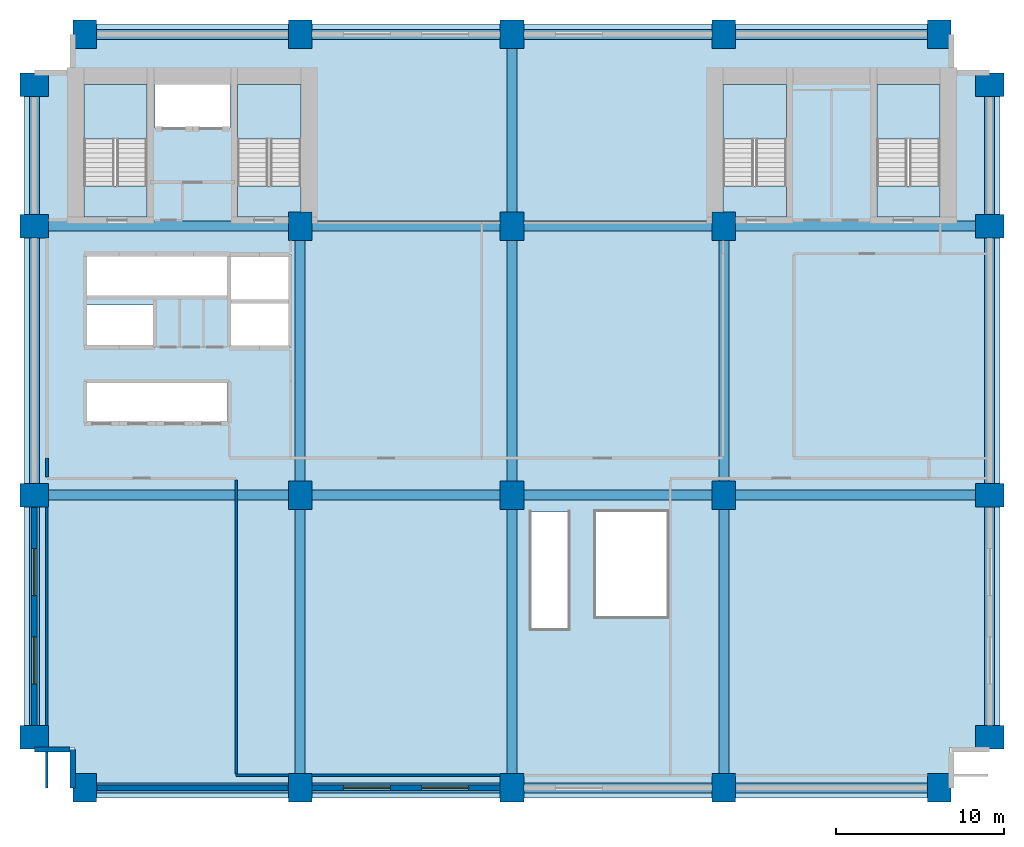
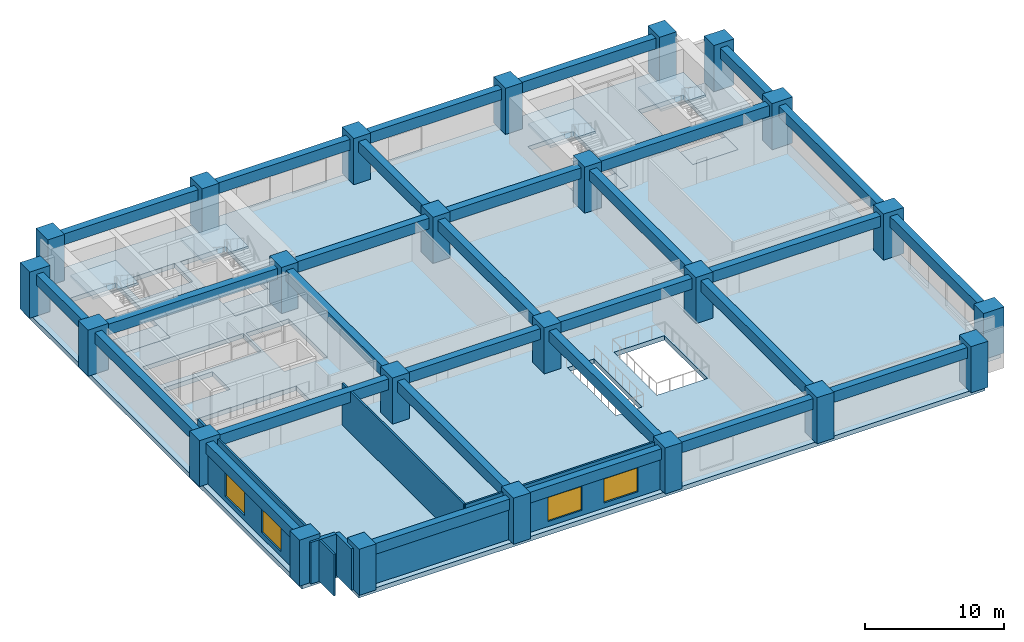
# One storey, part 1 of 7: 29 beams, 24 columns, 11 walls, 9 slabs, 4 windows, 4 openings, 4 elements without a shape of their own.
"""IFC4 building model written with IfcOpenShell, lengths in metres."""

from ifc_helpers import new_model, si_unit, direction, frame, frame_2d, origin, origin_2d, place, context, subcontext, project, spatial, polyline, rectangle, outline, extrude, material, layer, layer_set, material_profile, profile_set, type_object, element, fill, aggregate, save


model = new_model("IFC4")

# Units and contexts
model_context = context("Model", 3, precision=1e-05, world=origin(), true_north=direction((0.0, 1.0)))
body_context = subcontext(model_context, "Body", "Model", "MODEL_VIEW")
ifc_project = project(units=[si_unit("LENGTHUNIT", "METRE"), si_unit("AREAUNIT", "SQUARE_METRE"), si_unit("VOLUMEUNIT", "CUBIC_METRE"), si_unit("PLANEANGLEUNIT", "RADIAN"), si_unit("MASSUNIT", "GRAM", prefix="KILO")], contexts=[model_context])

# Site, building, storey
site_placement = place(None, origin())
site = spatial("IfcSite", under=ifc_project, at=site_placement, CompositionType="ELEMENT")
building_placement = place(site_placement, origin())
building = spatial("IfcBuilding", under=site, at=building_placement, Name="Sulina Concourse Tower", CompositionType="ELEMENT")
storey_placement = place(building_placement, frame((0.0, 0.0, 13.5)))
storey = spatial("IfcBuildingStorey", under=building, at=storey_placement, Name="L03", CompositionType="ELEMENT", Elevation=13.5)

# Columns
ifc_material_1 = material(Name="Concrete C80/95", Category="concrete")
ifc_material_profile_1 = material_profile(ifc_material_1, rectangle(XDim=1.39990234375, YDim=1.699951171875, at=origin_2d()), Name="RC 1400x1700")
ifc_profile_set_1 = profile_set([ifc_material_profile_1], Name="Concrete C80/95")
column_type = type_object("IfcColumnType", Name="Station Podium Column 1400x1700", PredefinedType="COLUMN", material=ifc_profile_set_1)
for number, where, z_axis, x_axis, name in (
    (1, (3.60009765625, 0.60009765625, 0.0), (0.0, 0.0, 1.0), (1.0, 0.0, 0.0), "L03 structural column MC-S1"),
    (2, (3.60009765625, 45.39990234375, 0.0), (0.0, 0.0, 1.0), (1.0, 0.0, 0.0), "L03 structural column MC-N1"),
    (3, (16.39990234375, 0.60009765625, 0.0), (0.0, 0.0, 1.0), (1.0, 0.0, 0.0), "L03 structural column MC-S2"),
    (4, (16.39990234375, 45.39990234375, 0.0), (0.0, 0.0, 1.0), (1.0, 0.0, 0.0), "L03 structural column MC-N2"),
    (5, (29.0, 0.60009765625, 0.0), (0.0, 0.0, 1.0), (1.0, 0.0, 0.0), "L03 structural column MC-S3"),
    (6, (29.0, 45.39990234375, 0.0), (0.0, 0.0, 1.0), (1.0, 0.0, 0.0), "L03 structural column MC-N3"),
    (7, (41.60009765625, 0.60009765625, 0.0), (0.0, 0.0, 1.0), (1.0, 0.0, 0.0), "L03 structural column MC-S4"),
    (8, (41.60009765625, 45.39990234375, 0.0), (0.0, 0.0, 1.0), (1.0, 0.0, 0.0), "L03 structural column MC-N4"),
    (9, (54.39990234375, 0.60009765625, 0.0), (0.0, 0.0, 1.0), (1.0, 0.0, 0.0), "L03 structural column MC-S5"),
    (10, (54.39990234375, 45.39990234375, 0.0), (0.0, 0.0, 1.0), (1.0, 0.0, 0.0), "L03 structural column MC-N5"),
    (11, (0.60009765625, 3.60009765625, 0.0), (0.0, 0.0, 1.0), (0.0, 1.0, 0.0), "L03 structural column MC-W1"),
    (12, (57.39990234375, 3.60009765625, 0.0), (0.0, 0.0, 1.0), (0.0, 1.0, 0.0), "L03 structural column MC-E1"),
    (13, (0.60009765625, 18.0, 0.0), (0.0, 0.0, 1.0), (0.0, 1.0, 0.0), "L03 structural column MC-W2"),
    (14, (57.39990234375, 18.0, 0.0), (0.0, 0.0, 1.0), (0.0, 1.0, 0.0), "L03 structural column MC-E2"),
    (15, (0.60009765625, 34.0, 0.0), (0.0, 0.0, 1.0), (0.0, 1.0, 0.0), "L03 structural column MC-W3"),
    (16, (57.39990234375, 34.0, 0.0), (0.0, 0.0, 1.0), (0.0, 1.0, 0.0), "L03 structural column MC-E3"),
    (17, (0.60009765625, 42.39990234375, 0.0), (0.0, 0.0, 1.0), (0.0, 1.0, 0.0), "L03 structural column MC-W4"),
    (18, (57.39990234375, 42.39990234375, 0.0), (0.0, 0.0, 1.0), (0.0, 1.0, 0.0), "L03 structural column MC-E4"),
    (19, (16.39990234375, 18.0, 0.0), (0.0, 0.0, 1.0), (1.0, 0.0, 0.0), "L03 structural column MC-M1"),
    (20, (16.39990234375, 34.0, 0.0), (0.0, 0.0, 1.0), (1.0, 0.0, 0.0), "L03 structural column MC-C1"),
    (21, (29.0, 18.0, 0.0), (0.0, 0.0, 1.0), (1.0, 0.0, 0.0), "L03 structural column MC-M2"),
    (22, (29.0, 34.0, 0.0), (0.0, 0.0, 1.0), (1.0, 0.0, 0.0), "L03 structural column MC-C2"),
    (23, (41.60009765625, 18.0, 0.0), (0.0, 0.0, 1.0), (1.0, 0.0, 0.0), "L03 structural column MC-M3"),
    (24, (41.60009765625, 34.0, 0.0), (0.0, 0.0, 1.0), (1.0, 0.0, 0.0), "L03 structural column MC-C3"),
):
    element("IfcColumn", number, at=place(storey_placement, frame(where, z_axis=z_axis, x_axis=x_axis)), inside=storey, type_object=column_type, Name=name, PredefinedType="COLUMN", context=body_context, shape_type="SweptSolid", body=[
        extrude(rectangle(XDim=1.39990234375, YDim=1.699951171875, at=origin_2d()), origin(), (0.0, 0.0, 1.0), 4.050048828125),
    ])

# Beams
ifc_material_2 = material(Name="Concrete C60/75", Category="concrete")
ifc_material_profile_2 = material_profile(ifc_material_2, rectangle(XDim=0.60009765625, YDim=0.949951171875, at=origin_2d()), Name="RC 600x950")
ifc_profile_set_2 = profile_set([ifc_material_profile_2], Name="Concrete C60/75")
beam_type = type_object("IfcBeamType", Name="Basement & Podium Primary Beam 600x950", PredefinedType="BEAM", material=ifc_profile_set_2)
for number, where, z_axis, x_axis, name in (
    (25, (4.280029296875, 0.60009765625, 3.175048828125), (1.0, 0.0, 0.0), (0.0, 1.0, 0.0), "PB-S1-L03"),
    (26, (4.280029296875, 45.39990234375, 3.175048828125), (1.0, 0.0, 0.0), (0.0, 1.0, 0.0), "PB-N1-L03"),
):
    element("IfcBeam", number, at=place(storey_placement, frame(where, z_axis=z_axis, x_axis=x_axis)), inside=storey, type_object=beam_type, Name=name, PredefinedType="BEAM", context=body_context, shape_type="SweptSolid", body=[
        extrude(rectangle(XDim=0.60009765625, YDim=0.949951171875, at=origin_2d()), origin(), (0.0, 0.0, 1.0), 11.43994140625),
    ])
for number, where, z_axis, x_axis, name in (
    (27, (1.280029296875, 18.0, 3.175048828125), (1.0, 0.0, 0.0), (0.0, 1.0, 0.0), "PB-M0-L03"),
    (28, (1.280029296875, 34.0, 3.175048828125), (1.0, 0.0, 0.0), (0.0, 1.0, 0.0), "PB-C0-L03"),
):
    element("IfcBeam", number, at=place(storey_placement, frame(where, z_axis=z_axis, x_axis=x_axis)), inside=storey, type_object=beam_type, Name=name, PredefinedType="BEAM", context=body_context, shape_type="SweptSolid", body=[
        extrude(rectangle(XDim=0.60009765625, YDim=0.949951171875, at=origin_2d()), origin(), (0.0, 0.0, 1.0), 14.43994140625),
    ])
for number, where, z_axis, x_axis, name in (
    (29, (17.080078125, 0.60009765625, 3.175048828125), (1.0, 0.0, 0.0), (0.0, 1.0, 0.0), "PB-S2-L03"),
    (30, (17.080078125, 45.39990234375, 3.175048828125), (1.0, 0.0, 0.0), (0.0, 1.0, 0.0), "PB-N2-L03"),
    (31, (17.080078125, 18.0, 3.175048828125), (1.0, 0.0, 0.0), (0.0, 1.0, 0.0), "PB-M2-L03"),
    (32, (17.080078125, 34.0, 3.175048828125), (1.0, 0.0, 0.0), (0.0, 1.0, 0.0), "PB-C2-L03"),
    (33, (29.679931640625, 0.60009765625, 3.175048828125), (1.0, 0.0, 0.0), (0.0, 1.0, 0.0), "PB-S3-L03"),
    (34, (29.679931640625, 45.39990234375, 3.175048828125), (1.0, 0.0, 0.0), (0.0, 1.0, 0.0), "PB-N3-L03"),
    (35, (29.679931640625, 18.0, 3.175048828125), (1.0, 0.0, 0.0), (0.0, 1.0, 0.0), "PB-M3-L03"),
    (36, (29.679931640625, 34.0, 3.175048828125), (1.0, 0.0, 0.0), (0.0, 1.0, 0.0), "PB-C3-L03"),
):
    element("IfcBeam", number, at=place(storey_placement, frame(where, z_axis=z_axis, x_axis=x_axis)), inside=storey, type_object=beam_type, Name=name, PredefinedType="BEAM", context=body_context, shape_type="SweptSolid", body=[
        extrude(rectangle(XDim=0.60009765625, YDim=0.949951171875, at=origin_2d()), origin(), (0.0, 0.0, 1.0), 11.239990234375),
    ])
for number, where, z_axis, x_axis, name in (
    (37, (42.280029296875, 0.60009765625, 3.175048828125), (1.0, 0.0, 0.0), (0.0, 1.0, 0.0), "PB-S4-L03"),
    (38, (42.280029296875, 45.39990234375, 3.175048828125), (1.0, 0.0, 0.0), (0.0, 1.0, 0.0), "PB-N4-L03"),
):
    element("IfcBeam", number, at=place(storey_placement, frame(where, z_axis=z_axis, x_axis=x_axis)), inside=storey, type_object=beam_type, Name=name, PredefinedType="BEAM", context=body_context, shape_type="SweptSolid", body=[
        extrude(rectangle(XDim=0.60009765625, YDim=0.949951171875, at=origin_2d()), origin(), (0.0, 0.0, 1.0), 11.43994140625),
    ])
for number, where, z_axis, x_axis, name in (
    (39, (42.280029296875, 18.0, 3.175048828125), (1.0, 0.0, 0.0), (0.0, 1.0, 0.0), "PB-M5-L03"),
    (40, (42.280029296875, 34.0, 3.175048828125), (1.0, 0.0, 0.0), (0.0, 1.0, 0.0), "PB-C5-L03"),
):
    element("IfcBeam", number, at=place(storey_placement, frame(where, z_axis=z_axis, x_axis=x_axis)), inside=storey, type_object=beam_type, Name=name, PredefinedType="BEAM", context=body_context, shape_type="SweptSolid", body=[
        extrude(rectangle(XDim=0.60009765625, YDim=0.949951171875, at=origin_2d()), origin(), (0.0, 0.0, 1.0), 14.43994140625),
    ])
for number, where, z_axis, x_axis, name in (
    (41, (0.60009765625, 4.280029296875, 3.175048828125), (0.0, 1.0, 0.0), (-1.0, 0.0, 0.0), "PB-W1-L03"),
    (42, (57.39990234375, 4.280029296875, 3.175048828125), (0.0, 1.0, 0.0), (-1.0, 0.0, 0.0), "PB-E1-L03"),
):
    element("IfcBeam", number, at=place(storey_placement, frame(where, z_axis=z_axis, x_axis=x_axis)), inside=storey, type_object=beam_type, Name=name, PredefinedType="BEAM", context=body_context, shape_type="SweptSolid", body=[
        extrude(rectangle(XDim=0.60009765625, YDim=0.949951171875, at=origin_2d()), origin(), (0.0, 0.0, 1.0), 13.0400390625),
    ])
for number, where, z_axis, x_axis, name in (
    (43, (0.60009765625, 18.679931640625, 3.175048828125), (0.0, 1.0, 0.0), (-1.0, 0.0, 0.0), "PB-W2-L03"),
    (44, (57.39990234375, 18.679931640625, 3.175048828125), (0.0, 1.0, 0.0), (-1.0, 0.0, 0.0), "PB-E2-L03"),
):
    element("IfcBeam", number, at=place(storey_placement, frame(where, z_axis=z_axis, x_axis=x_axis)), inside=storey, type_object=beam_type, Name=name, PredefinedType="BEAM", context=body_context, shape_type="SweptSolid", body=[
        extrude(rectangle(XDim=0.60009765625, YDim=0.949951171875, at=origin_2d()), origin(), (0.0, 0.0, 1.0), 14.64013671875),
    ])
for number, where, z_axis, x_axis, name in (
    (45, (0.60009765625, 34.679931640625, 3.175048828125), (0.0, 1.0, 0.0), (-1.0, 0.0, 0.0), "PB-W3-L03"),
    (46, (57.39990234375, 34.679931640625, 3.175048828125), (0.0, 1.0, 0.0), (-1.0, 0.0, 0.0), "PB-E3-L03"),
):
    element("IfcBeam", number, at=place(storey_placement, frame(where, z_axis=z_axis, x_axis=x_axis)), inside=storey, type_object=beam_type, Name=name, PredefinedType="BEAM", context=body_context, shape_type="SweptSolid", body=[
        extrude(rectangle(XDim=0.60009765625, YDim=0.949951171875, at=origin_2d()), origin(), (0.0, 0.0, 1.0), 7.0400390625),
    ])
beam_1_placement = place(storey_placement, frame((16.39990234375, 1.280029296875, 3.175048828125), z_axis=(0.0, 1.0, 0.0), x_axis=(-1.0, 0.0, 0.0)))
element("IfcBeam", 47, at=beam_1_placement, inside=storey, type_object=beam_type, Name="PB-NS1A-L03", PredefinedType="BEAM", context=body_context, shape_type="SweptSolid", body=[
    extrude(rectangle(XDim=0.60009765625, YDim=0.949951171875, at=origin_2d()), origin(), (0.0, 0.0, 1.0), 16.0400390625),
])
beam_2_placement = place(storey_placement, frame((16.39990234375, 18.679931640625, 3.175048828125), z_axis=(0.0, 1.0, 0.0), x_axis=(-1.0, 0.0, 0.0)))
element("IfcBeam", 48, at=beam_2_placement, inside=storey, type_object=beam_type, Name="PB-NS1B-L03", PredefinedType="BEAM", context=body_context, shape_type="SweptSolid", body=[
    extrude(rectangle(XDim=0.60009765625, YDim=0.949951171875, at=origin_2d()), origin(), (0.0, 0.0, 1.0), 14.64013671875),
])
beam_3_placement = place(storey_placement, frame((29.0, 1.280029296875, 3.175048828125), z_axis=(0.0, 1.0, 0.0), x_axis=(-1.0, 0.0, 0.0)))
element("IfcBeam", 49, at=beam_3_placement, inside=storey, type_object=beam_type, Name="PB-NS2A-L03", PredefinedType="BEAM", context=body_context, shape_type="SweptSolid", body=[
    extrude(rectangle(XDim=0.60009765625, YDim=0.949951171875, at=origin_2d()), origin(), (0.0, 0.0, 1.0), 16.0400390625),
])
beam_4_placement = place(storey_placement, frame((29.0, 18.679931640625, 3.175048828125), z_axis=(0.0, 1.0, 0.0), x_axis=(-1.0, 0.0, 0.0)))
element("IfcBeam", 50, at=beam_4_placement, inside=storey, type_object=beam_type, Name="PB-NS2B-L03", PredefinedType="BEAM", context=body_context, shape_type="SweptSolid", body=[
    extrude(rectangle(XDim=0.60009765625, YDim=0.949951171875, at=origin_2d()), origin(), (0.0, 0.0, 1.0), 14.64013671875),
])
beam_5_placement = place(storey_placement, frame((29.0, 34.679931640625, 3.175048828125), z_axis=(0.0, 1.0, 0.0), x_axis=(-1.0, 0.0, 0.0)))
element("IfcBeam", 51, at=beam_5_placement, inside=storey, type_object=beam_type, Name="PB-NS2C-L03", PredefinedType="BEAM", context=body_context, shape_type="SweptSolid", body=[
    extrude(rectangle(XDim=0.60009765625, YDim=0.949951171875, at=origin_2d()), origin(), (0.0, 0.0, 1.0), 10.0400390625),
])
beam_6_placement = place(storey_placement, frame((41.60009765625, 1.280029296875, 3.175048828125), z_axis=(0.0, 1.0, 0.0), x_axis=(-1.0, 0.0, 0.0)))
element("IfcBeam", 52, at=beam_6_placement, inside=storey, type_object=beam_type, Name="PB-NS3A-L03", PredefinedType="BEAM", context=body_context, shape_type="SweptSolid", body=[
    extrude(rectangle(XDim=0.60009765625, YDim=0.949951171875, at=origin_2d()), origin(), (0.0, 0.0, 1.0), 16.0400390625),
])
beam_7_placement = place(storey_placement, frame((41.60009765625, 18.679931640625, 3.175048828125), z_axis=(0.0, 1.0, 0.0), x_axis=(-1.0, 0.0, 0.0)))
element("IfcBeam", 53, at=beam_7_placement, inside=storey, type_object=beam_type, Name="PB-NS3B-L03", PredefinedType="BEAM", context=body_context, shape_type="SweptSolid", body=[
    extrude(rectangle(XDim=0.60009765625, YDim=0.949951171875, at=origin_2d()), origin(), (0.0, 0.0, 1.0), 14.64013671875),
])

# Slabs
ifc_material_3 = material(Name="Concrete C50/60", Category="concrete")
ifc_layer_1 = layer(ifc_material_3, 0.199951171875)
ifc_layer_set_1 = layer_set([ifc_layer_1], Name="Concrete C50/60")
slab_type_1 = type_object("IfcSlabType", Name="Primary Core Stair Landing Slab 200mm", PredefinedType="LANDING", material=ifc_layer_set_1)
slab_1_placement = place(storey_placement, frame((0.0, 0.0, -0.199951171875)))
element("IfcSlab", 54, at=slab_1_placement, inside=storey, type_object=slab_type_1, Name="L03 ST-1 floor landing slab", PredefinedType="LANDING", context=body_context, shape_type="SweptSolid", body=[
    extrude(outline(polyline([(7.31005859375, 34.550048828125), (7.31005859375, 36.375), (3.550048828125, 36.375), (3.550048828125, 34.550048828125), (7.31005859375, 34.550048828125)])), origin(), (0.0, 0.0, 1.0), 0.199951171875),
])
slab_2_placement = place(storey_placement, frame((0.0, 0.0, -0.199951171875)))
element("IfcSlab", 55, at=slab_2_placement, inside=storey, type_object=slab_type_1, Name="L03 ST-2 floor landing slab", PredefinedType="LANDING", context=body_context, shape_type="SweptSolid", body=[
    extrude(outline(polyline([(16.449951171875, 34.550048828125), (16.449951171875, 36.375), (12.68994140625, 36.375), (12.68994140625, 34.550048828125), (16.449951171875, 34.550048828125)])), origin(), (0.0, 0.0, 1.0), 0.199951171875),
])
slab_3_placement = place(storey_placement, frame((0.0, 0.0, -0.199951171875)))
element("IfcSlab", 56, at=slab_3_placement, inside=storey, type_object=slab_type_1, Name="L03 ST-3 floor landing slab", PredefinedType="LANDING", context=body_context, shape_type="SweptSolid", body=[
    extrude(outline(polyline([(45.31005859375, 34.550048828125), (45.31005859375, 36.375), (41.550048828125, 36.375), (41.550048828125, 34.550048828125), (45.31005859375, 34.550048828125)])), origin(), (0.0, 0.0, 1.0), 0.199951171875),
])
slab_4_placement = place(storey_placement, frame((0.0, 0.0, -0.199951171875)))
element("IfcSlab", 57, at=slab_4_placement, inside=storey, type_object=slab_type_1, Name="L03 ST-4 floor landing slab", PredefinedType="LANDING", context=body_context, shape_type="SweptSolid", body=[
    extrude(outline(polyline([(54.449951171875, 34.550048828125), (54.449951171875, 36.375), (50.68994140625, 36.375), (50.68994140625, 34.550048828125), (54.449951171875, 34.550048828125)])), origin(), (0.0, 0.0, 1.0), 0.199951171875),
])

# Stair, slab
ifc_material_4 = material(Name="Concrete C50/60", Category="concrete")
stair_type_1 = type_object("IfcStairType", Name="Primary Core Dog-Leg Exit Stair 1800mm", PredefinedType="HALF_TURN_STAIR", material=ifc_material_4)
stair_1_placement = place(storey_placement, origin())
stair_1 = element("IfcStair", 58, at=stair_1_placement, inside=storey, type_object=stair_type_1, Name="L03 ST-1", PredefinedType="HALF_TURN_STAIR")
slab_5_placement = place(storey_placement, frame((0.0, 0.0, 1.824951171875)))
slab_5 = element("IfcSlab", 59, at=slab_5_placement, type_object=slab_type_1, Name="ST-1 landing 1", PredefinedType="LANDING", context=body_context, shape_type="SweptSolid", body=[
    extrude(outline(polyline([(7.304931640625, 39.175048828125), (7.304931640625, 42.425048828125), (3.554931640625, 42.425048828125), (3.554931640625, 39.175048828125), (7.304931640625, 39.175048828125)])), origin(), (0.0, 0.0, 1.0), 0.199951171875),
])
aggregate(stair_1, [slab_5])

stair_2_placement = place(storey_placement, origin())
stair_2 = element("IfcStair", 60, at=stair_2_placement, inside=storey, type_object=stair_type_1, Name="L03 ST-2", PredefinedType="HALF_TURN_STAIR")
slab_6_placement = place(storey_placement, frame((0.0, 0.0, 1.824951171875)))
slab_6 = element("IfcSlab", 61, at=slab_6_placement, type_object=slab_type_1, Name="ST-2 landing 1", PredefinedType="LANDING", context=body_context, shape_type="SweptSolid", body=[
    extrude(outline(polyline([(16.445068359375, 39.175048828125), (16.445068359375, 42.425048828125), (12.695068359375, 42.425048828125), (12.695068359375, 39.175048828125), (16.445068359375, 39.175048828125)])), origin(), (0.0, 0.0, 1.0), 0.199951171875),
])
aggregate(stair_2, [slab_6])

ifc_material_5 = material(Name="Concrete C50/60", Category="concrete")
stair_type_2 = type_object("IfcStairType", Name="Portal & Podium Core Exit Stair 1820mm", PredefinedType="HALF_TURN_STAIR", material=ifc_material_5)
stair_3_placement = place(storey_placement, origin())
stair_3 = element("IfcStair", 62, at=stair_3_placement, inside=storey, type_object=stair_type_2, Name="L03 ST-3", PredefinedType="HALF_TURN_STAIR")
slab_7_placement = place(storey_placement, frame((0.0, 0.0, 1.824951171875)))
slab_7 = element("IfcSlab", 63, at=slab_7_placement, type_object=slab_type_1, Name="ST-3 landing 1", PredefinedType="LANDING", context=body_context, shape_type="SweptSolid", body=[
    extrude(outline(polyline([(45.304931640625, 39.175048828125), (45.304931640625, 42.425048828125), (41.554931640625, 42.425048828125), (41.554931640625, 39.175048828125), (45.304931640625, 39.175048828125)])), origin(), (0.0, 0.0, 1.0), 0.199951171875),
])
aggregate(stair_3, [slab_7])

stair_4_placement = place(storey_placement, origin())
stair_4 = element("IfcStair", 64, at=stair_4_placement, inside=storey, type_object=stair_type_2, Name="L03 ST-4", PredefinedType="HALF_TURN_STAIR")
slab_8_placement = place(storey_placement, frame((0.0, 0.0, 1.824951171875)))
slab_8 = element("IfcSlab", 65, at=slab_8_placement, type_object=slab_type_1, Name="ST-4 landing 1", PredefinedType="LANDING", context=body_context, shape_type="SweptSolid", body=[
    extrude(outline(polyline([(54.445068359375, 39.175048828125), (54.445068359375, 42.425048828125), (50.695068359375, 42.425048828125), (50.695068359375, 39.175048828125), (54.445068359375, 39.175048828125)])), origin(), (0.0, 0.0, 1.0), 0.199951171875),
])
aggregate(stair_4, [slab_8])

# Slab
ifc_material_6 = material(Name="Concrete C60/75", Category="concrete")
ifc_layer_2 = layer(ifc_material_6, 0.39990234375)
ifc_layer_set_2 = layer_set([ifc_layer_2], Name="Concrete C60/75")
slab_type_2 = type_object("IfcSlabType", Name="Station Concourse & Transfer Slab 400mm", PredefinedType="FLOOR", material=ifc_layer_set_2)
slab_9_placement = place(storey_placement, frame((0.0, 0.0, -0.39990234375)))
element("IfcSlab", 66, at=slab_9_placement, inside=storey, type_object=slab_type_2, Name="L03 structural floor slab", PredefinedType="FLOOR", context=body_context, shape_type="SweptSolid", body=[
    extrude(outline(polyline([(3.0, 0.0), (55.0, 0.0), (55.0, 3.0), (58.0, 3.0), (58.0, 43.0), (55.0, 43.0), (55.0, 46.0), (3.0, 46.0), (3.0, 43.0), (0.0, 43.0), (0.0, 3.0), (3.0, 3.0), (3.0, 0.0)]), holes=[polyline([(7.31005859375, 34.550048828125), (7.31005859375, 42.429931640625), (3.550048828125, 42.429931640625), (3.550048828125, 34.550048828125), (7.31005859375, 34.550048828125)]), polyline([(16.449951171875, 34.550048828125), (16.449951171875, 42.429931640625), (12.68994140625, 42.429931640625), (12.68994140625, 34.550048828125), (16.449951171875, 34.550048828125)]), polyline([(45.31005859375, 34.550048828125), (45.31005859375, 42.429931640625), (41.550048828125, 42.429931640625), (41.550048828125, 34.550048828125), (45.31005859375, 34.550048828125)]), polyline([(54.449951171875, 34.550048828125), (54.449951171875, 42.429931640625), (50.68994140625, 42.429931640625), (50.68994140625, 34.550048828125), (54.449951171875, 34.550048828125)]), polyline([(30.14990234375, 10.050048828125), (32.35009765625, 10.050048828125), (32.35009765625, 17.0), (30.14990234375, 17.0), (30.14990234375, 10.050048828125)]), polyline([(34.0, 10.800048828125), (38.199951171875, 10.800048828125), (38.199951171875, 17.0), (34.0, 17.0), (34.0, 10.800048828125)]), polyline([(7.780029296875, 39.830078125), (12.219970703125, 39.830078125), (12.219970703125, 42.449951171875), (7.780029296875, 42.449951171875), (7.780029296875, 39.830078125)]), polyline([(3.739990234375, 26.780029296875), (7.77001953125, 26.780029296875), (7.77001953125, 29.320068359375), (3.739990234375, 29.320068359375), (3.739990234375, 26.780029296875)]), polyline([(3.739990234375, 29.780029296875), (12.10009765625, 29.780029296875), (12.10009765625, 32.3701171875), (3.739990234375, 32.3701171875), (3.739990234375, 29.780029296875)]), polyline([(3.739990234375, 22.280029296875), (12.10009765625, 22.280029296875), (12.10009765625, 24.77001953125), (3.739990234375, 24.77001953125), (3.739990234375, 22.280029296875)]), polyline([(12.280029296875, 26.780029296875), (15.85009765625, 26.780029296875), (15.85009765625, 32.320068359375), (12.280029296875, 32.320068359375), (12.280029296875, 26.780029296875)])]), origin(), (0.0, 0.0, 1.0), 0.39990234375),
])

# Walls
ifc_material_7 = material(Name="Gypsum board on steel stud", Category="steel")
ifc_layer_3 = layer(ifc_material_7, 0.14990234375)
ifc_layer_set_3 = layer_set([ifc_layer_3], Name="Gypsum board on steel stud")
wall_type_1 = type_object("IfcWallType", Name="Inter-Tenancy Acoustic Partition 150mm", PredefinedType="PARTITIONING", material=ifc_layer_set_3)
wall_1_placement = place(storey_placement, frame((12.60009765625, 1.35009765625, 0.0), z_axis=(0.0, 0.0, 1.0), x_axis=(1.0, 0.0, 0.0)))
element("IfcWall", 67, at=wall_1_placement, inside=storey, type_object=wall_type_1, Name="L03 interior partition 001", PredefinedType="PARTITIONING", context=body_context, shape_type="SweptSolid", body=[
    extrude(rectangle(XDim=3.099853515625, YDim=0.14990234375, at=frame_2d((1.5498046875, 0.0))), origin(), (0.0, 0.0, 1.0), 3.64990234375),
])
wall_2_placement = place(storey_placement, frame((17.10009765625, 1.35009765625, 0.0), z_axis=(0.0, 0.0, 1.0), x_axis=(1.0, 0.0, 0.0)))
element("IfcWall", 68, at=wall_2_placement, inside=storey, type_object=wall_type_1, Name="L03 interior partition 002", PredefinedType="PARTITIONING", context=body_context, shape_type="SweptSolid", body=[
    extrude(rectangle(XDim=11.199951171875, YDim=0.14990234375, at=frame_2d((5.60009765625, 0.0))), origin(), (0.0, 0.0, 1.0), 3.64990234375),
])
wall_3_placement = place(storey_placement, frame((1.35009765625, 0.60009765625, 0.0), z_axis=(0.0, 0.0, 1.0), x_axis=(0.0, 1.0, 0.0)))
element("IfcWall", 69, at=wall_3_placement, inside=storey, type_object=wall_type_1, Name="L03 interior partition 027", PredefinedType="PARTITIONING", context=body_context, shape_type="SweptSolid", body=[
    extrude(rectangle(XDim=2.119873046875, YDim=0.14990234375, at=frame_2d((1.06005859375, 0.0))), origin(), (0.0, 0.0, 1.0), 3.64990234375),
])
wall_4_placement = place(storey_placement, frame((1.35009765625, 4.300048828125, 0.0), z_axis=(0.0, 0.0, 1.0), x_axis=(0.0, 1.0, 0.0)))
element("IfcWall", 70, at=wall_4_placement, inside=storey, type_object=wall_type_1, Name="L03 interior partition 028", PredefinedType="PARTITIONING", context=body_context, shape_type="SweptSolid", body=[
    extrude(rectangle(XDim=13.0, YDim=0.14990234375, at=frame_2d((6.5, 0.0))), origin(), (0.0, 0.0, 1.0), 3.64990234375),
])
wall_5_placement = place(storey_placement, frame((12.60009765625, 1.425048828125, 0.0), z_axis=(0.0, 0.0, 1.0), x_axis=(0.0, 1.0, 0.0)))
element("IfcWall", 71, at=wall_5_placement, inside=storey, type_object=wall_type_1, Name="L03 interior partition 035", PredefinedType="PARTITIONING", context=body_context, shape_type="SweptSolid", body=[
    extrude(rectangle(XDim=17.48486328125, YDim=0.14990234375, at=frame_2d((8.742431640625, 0.0))), origin(), (0.0, 0.0, 1.0), 3.64990234375),
])
ifc_material_8 = material(Name="Precast concrete C50/60", Category="concrete")
ifc_layer_4 = layer(ifc_material_8, 0.320068359375)
ifc_layer_set_4 = layer_set([ifc_layer_4], Name="Precast concrete C50/60")
wall_type_2 = type_object("IfcWallType", Name="Lower Precast Masonry-Frame Facade Wall 320mm", PredefinedType="SOLIDWALL", material=ifc_layer_set_4)
wall_6_placement = place(storey_placement, frame((15.679931640625, 0.60009765625, 0.0), z_axis=(0.0, 0.0, 1.0), x_axis=(-1.0, 0.0, 0.0)))
element("IfcWall", 72, at=wall_6_placement, inside=storey, type_object=wall_type_2, Name="L03 exterior precast wall S1", PredefinedType="SOLIDWALL", context=body_context, shape_type="SweptSolid", body=[
    extrude(rectangle(XDim=11.35986328125, YDim=0.320068359375, at=frame_2d((5.679931640625, 0.0))), origin(), (0.0, 0.0, 1.0), 2.699951171875),
])

# Wall, openings, windows
wall_7_placement = place(storey_placement, frame((28.280029296875, 0.60009765625, 0.0), z_axis=(0.0, 0.0, 1.0), x_axis=(-1.0, 0.0, 0.0)))
wall_7 = element("IfcWall", 73, at=wall_7_placement, inside=storey, type_object=wall_type_2, Name="L03 exterior precast wall S2", PredefinedType="SOLIDWALL", context=body_context, shape_type="SweptSolid", body=[
    extrude(rectangle(XDim=11.159912109375, YDim=0.320068359375, at=frame_2d((5.580078125, 0.0))), origin(), (0.0, 0.0, 1.0), 2.699951171875),
])
opening_1_placement = place(wall_7_placement, frame((1.853271484375, 0.0, 0.449951171875)))
opening_1 = element("IfcOpeningElement", 74, at=opening_1_placement, cuts=wall_7, Name="Opening WN-83", PredefinedType="OPENING", context=body_context, shape_type="SweptSolid", body=[
    extrude(rectangle(XDim=2.800048828125, YDim=2.10009765625, at=frame_2d((1.39990234375, 1.050048828125))), frame((0.0, 0.169921875, 0.0), z_axis=(0.0, -1.0, 0.0), x_axis=(1.0, 0.0, 0.0)), (0.0, 0.0, 1.0), 0.340087890625),
])
opening_2_placement = place(wall_7_placement, frame((6.506591796875, 0.0, 0.449951171875)))
opening_2 = element("IfcOpeningElement", 75, at=opening_2_placement, cuts=wall_7, Name="Opening WN-83", PredefinedType="OPENING", context=body_context, shape_type="SweptSolid", body=[
    extrude(rectangle(XDim=2.800048828125, YDim=2.10009765625, at=frame_2d((1.39990234375, 1.050048828125))), frame((0.0, 0.169921875, 0.0), z_axis=(0.0, -1.0, 0.0), x_axis=(1.0, 0.0, 0.0)), (0.0, 0.0, 1.0), 0.340087890625),
])
ifc_material_9 = material(Name="Low-E solar double glazing in bronze aluminium", Category="aluminium")
window_type = type_object("IfcWindowType", Name="Station Podium Clerestory Window 2800x2100", PartitioningType="TRIPLE_PANEL_VERTICAL", PredefinedType="WINDOW", material=ifc_material_9)
window_1_placement = place(opening_1_placement, origin())
window_1 = element("IfcWindow", 76, at=window_1_placement, inside=storey, type_object=window_type, Name="L03 punched window S2-1", OverallHeight=2.10009765625, OverallWidth=2.800048828125, PartitioningType="SINGLE_PANEL", PredefinedType="WINDOW", context=body_context, shape_type="SweptSolid", body=[
    extrude(rectangle(XDim=2.800048828125, YDim=2.10009765625, at=frame_2d((1.39990234375, 1.050048828125))), frame((0.0, 0.030029296875, 0.0), z_axis=(0.0, -1.0, 0.0), x_axis=(1.0, 0.0, 0.0)), (0.0, 0.0, 1.0), 0.06005859375),
])
fill(opening_1, window_1)
window_2_placement = place(opening_2_placement, origin())
window_2 = element("IfcWindow", 77, at=window_2_placement, inside=storey, type_object=window_type, Name="L03 punched window S2-2", OverallHeight=2.10009765625, OverallWidth=2.800048828125, PartitioningType="SINGLE_PANEL", PredefinedType="WINDOW", context=body_context, shape_type="SweptSolid", body=[
    extrude(rectangle(XDim=2.800048828125, YDim=2.10009765625, at=frame_2d((1.39990234375, 1.050048828125))), frame((0.0, 0.030029296875, 0.0), z_axis=(0.0, -1.0, 0.0), x_axis=(1.0, 0.0, 0.0)), (0.0, 0.0, 1.0), 0.06005859375),
])
fill(opening_2, window_2)

wall_8_placement = place(storey_placement, frame((0.60009765625, 4.320068359375, 0.0), z_axis=(0.0, 0.0, 1.0), x_axis=(0.0, 1.0, 0.0)))
wall_8 = element("IfcWall", 78, at=wall_8_placement, inside=storey, type_object=wall_type_2, Name="L03 exterior precast wall W1", PredefinedType="SOLIDWALL", context=body_context, shape_type="SweptSolid", body=[
    extrude(rectangle(XDim=12.9599609375, YDim=0.320068359375, at=frame_2d((6.47998046875, 0.0))), origin(), (0.0, 0.0, 1.0), 2.699951171875),
])
opening_3_placement = place(wall_8_placement, frame((2.453369140625, 0.0, 0.449951171875)))
opening_3 = element("IfcOpeningElement", 79, at=opening_3_placement, cuts=wall_8, Name="Opening WN-83", PredefinedType="OPENING", context=body_context, shape_type="SweptSolid", body=[
    extrude(rectangle(XDim=2.800048828125, YDim=2.10009765625, at=frame_2d((1.39990234375, 1.050048828125))), frame((0.0, 0.169921875, 0.0), z_axis=(0.0, -1.0, 0.0), x_axis=(1.0, 0.0, 0.0)), (0.0, 0.0, 1.0), 0.340087890625),
])
opening_4_placement = place(wall_8_placement, frame((7.706787109375, 0.0, 0.449951171875)))
opening_4 = element("IfcOpeningElement", 80, at=opening_4_placement, cuts=wall_8, Name="Opening WN-83", PredefinedType="OPENING", context=body_context, shape_type="SweptSolid", body=[
    extrude(rectangle(XDim=2.800048828125, YDim=2.10009765625, at=frame_2d((1.39990234375, 1.050048828125))), frame((0.0, 0.169921875, 0.0), z_axis=(0.0, -1.0, 0.0), x_axis=(1.0, 0.0, 0.0)), (0.0, 0.0, 1.0), 0.340087890625),
])
window_3_placement = place(opening_3_placement, origin())
window_3 = element("IfcWindow", 81, at=window_3_placement, inside=storey, type_object=window_type, Name="L03 punched window W1-1", OverallHeight=2.10009765625, OverallWidth=2.800048828125, PartitioningType="SINGLE_PANEL", PredefinedType="WINDOW", context=body_context, shape_type="SweptSolid", body=[
    extrude(rectangle(XDim=2.800048828125, YDim=2.10009765625, at=frame_2d((1.39990234375, 1.050048828125))), frame((0.0, 0.030029296875, 0.0), z_axis=(0.0, -1.0, 0.0), x_axis=(1.0, 0.0, 0.0)), (0.0, 0.0, 1.0), 0.06005859375),
])
fill(opening_3, window_3)
window_4_placement = place(opening_4_placement, origin())
window_4 = element("IfcWindow", 82, at=window_4_placement, inside=storey, type_object=window_type, Name="L03 punched window W1-2", OverallHeight=2.10009765625, OverallWidth=2.800048828125, PartitioningType="SINGLE_PANEL", PredefinedType="WINDOW", context=body_context, shape_type="SweptSolid", body=[
    extrude(rectangle(XDim=2.800048828125, YDim=2.10009765625, at=frame_2d((1.39990234375, 1.050048828125))), frame((0.0, 0.030029296875, 0.0), z_axis=(0.0, -1.0, 0.0), x_axis=(1.0, 0.0, 0.0)), (0.0, 0.0, 1.0), 0.06005859375),
])
fill(opening_4, window_4)

# Walls
wall_9_placement = place(storey_placement, frame((2.8798828125, 0.60009765625, 0.0), z_axis=(0.0, 0.0, 1.0), x_axis=(0.0, 1.0, 0.0)))
element("IfcWall", 83, at=wall_9_placement, inside=storey, type_object=wall_type_2, Name="L03 exterior precast wall CSW1", PredefinedType="SOLIDWALL", context=body_context, shape_type="SweptSolid", body=[
    extrude(rectangle(XDim=2.27978515625, YDim=0.320068359375, at=frame_2d((1.139892578125, 0.0))), origin(), (0.0, 0.0, 1.0), 3.64990234375),
])
wall_10_placement = place(storey_placement, frame((2.715087890625, 2.8798828125, 0.0), z_axis=(0.0, 0.0, 1.0), x_axis=(-1.0, 0.0, 0.0)))
element("IfcWall", 84, at=wall_10_placement, inside=storey, type_object=wall_type_2, Name="L03 exterior precast wall CSW2", PredefinedType="SOLIDWALL", context=body_context, shape_type="SweptSolid", body=[
    extrude(rectangle(XDim=2.114990234375, YDim=0.320068359375, at=frame_2d((1.0576171875, 0.0))), origin(), (0.0, 0.0, 1.0), 3.64990234375),
])
ifc_material_10 = material(Name="Gypsum board on steel stud", Category="steel")
ifc_layer_5 = layer(ifc_material_10, 0.179931640625)
ifc_layer_set_5 = layer_set([ifc_layer_5], Name="Gypsum board on steel stud")
wall_type_3 = type_object("IfcWallType", Name="Protected Corridor & Riser Partition 180mm", PredefinedType="PARTITIONING", material=ifc_layer_set_5)
wall_11_placement = place(storey_placement, frame((1.35009765625, 19.090087890625, 0.0), z_axis=(0.0, 0.0, 1.0), x_axis=(0.0, 1.0, 0.0)))
element("IfcWall", 85, at=wall_11_placement, inside=storey, type_object=wall_type_3, Name="L03 interior partition 029", PredefinedType="PARTITIONING", context=body_context, shape_type="SweptSolid", body=[
    extrude(rectangle(XDim=1.10986328125, YDim=0.179931640625, at=frame_2d((0.554931640625, 0.0))), origin(), (0.0, 0.0, 1.0), 3.64990234375),
])

save(model, "model.ifc")
